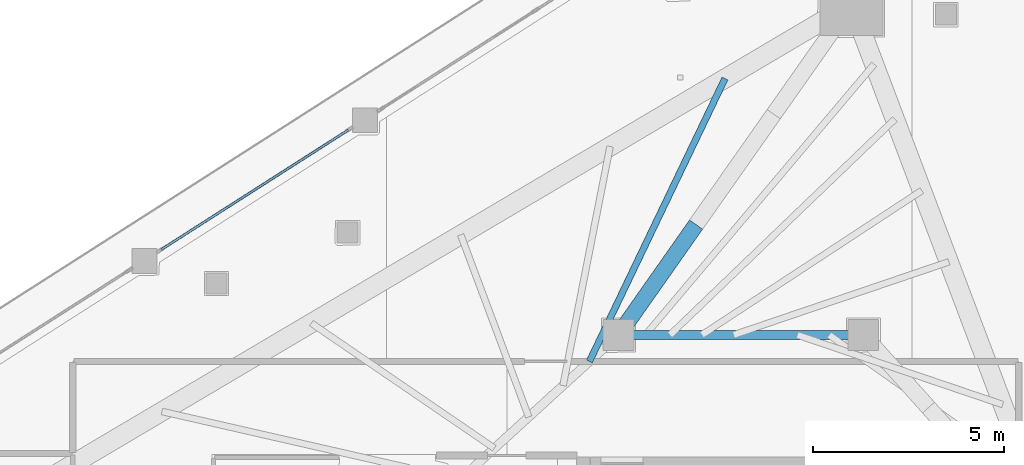
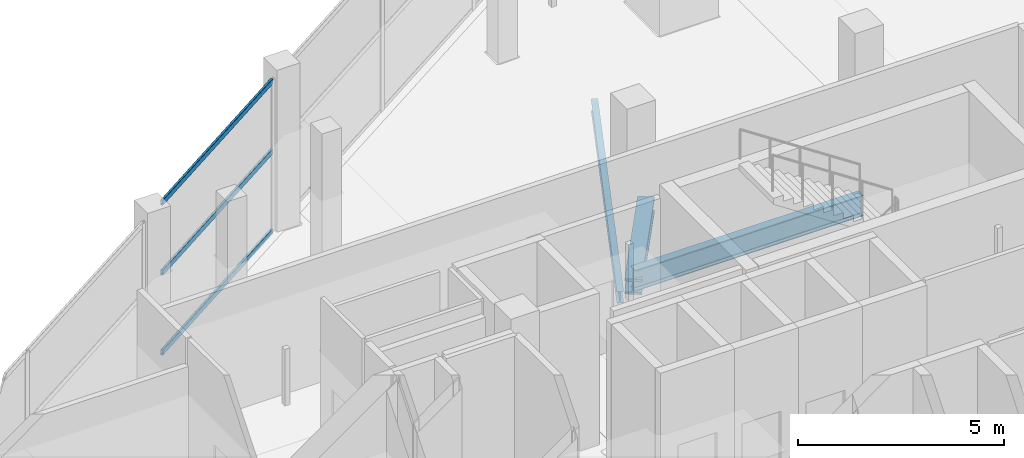
# One storey, part 17 of 36: 4 members, 2 beams, 1 element without a shape of its own.
"""IFC4 building model written with IfcOpenShell, lengths in metres."""

from ifc_helpers import new_model, si_unit, direction, frame, origin, origin_2d, place, context, subcontext, project, spatial, hollow_rectangle, i_section, extrude, material, layer, layer_set, material_profile, profile_set, type_object, element, aggregate, save


model = new_model("IFC4")

# Units and contexts
model_context = context("Model", 3, precision=1e-05, world=origin(), true_north=direction((0.0, 1.0)))
body_context = subcontext(model_context, "Body", "Model", "MODEL_VIEW")
ifc_project = project(units=[si_unit("LENGTHUNIT", "METRE"), si_unit("AREAUNIT", "SQUARE_METRE"), si_unit("VOLUMEUNIT", "CUBIC_METRE"), si_unit("PLANEANGLEUNIT", "RADIAN"), si_unit("MASSUNIT", "GRAM", prefix="KILO")], contexts=[model_context])

# Site, building, storey
site_placement = place(None, origin())
site = spatial("IfcSite", under=ifc_project, at=site_placement, CompositionType="ELEMENT")
building_placement = place(site_placement, origin())
building = spatial("IfcBuilding", under=site, at=building_placement, Name="Qorvath Tower", CompositionType="ELEMENT")
storey_placement = place(building_placement, frame((0.0, 0.0, 255.0)))
storey = spatial("IfcBuildingStorey", under=building, at=storey_placement, Name="L59", CompositionType="ELEMENT", Elevation=255.0)

# Beams
ifc_material_1 = material(Name="Steel ASTM A992 Grade 50", Category="steel")
ifc_material_profile_1 = material_profile(ifc_material_1, i_section(OverallWidth=0.22998046875, OverallDepth=0.616943359375, WebThickness=0.01318359375, FlangeThickness=0.022216796875, FilletRadius=0.014892578125, at=origin_2d()), Name="W24x94")
ifc_profile_set_1 = profile_set([ifc_material_profile_1], Name="Steel ASTM A992 Grade 50")
beam_type_1 = type_object("IfcBeamType", Name="BM-FG6", PredefinedType="BEAM", material=ifc_profile_set_1)
beam_1_placement = place(storey_placement, frame((-23.60009765625, 11.449951171875, -0.6083984375), z_axis=(1.0, 0.0, 0.0), x_axis=(0.0, 1.0, 0.0)))
element("IfcBeam", 1, at=beam_1_placement, inside=storey, type_object=beam_type_1, Name="Core Ring Girder CC1-CC2 L59", PredefinedType="BEAM", context=body_context, shape_type="SweptSolid", body=[
    extrude(i_section(OverallWidth=0.22998046875, OverallDepth=0.616943359375, WebThickness=0.01318359375, FlangeThickness=0.022216796875, FilletRadius=0.014892578125, at=origin_2d()), origin(), (0.0, 0.0, 1.0), 6.400146484375),
])
ifc_material_2 = material(Name="Steel ASTM A992 Grade 50", Category="steel")
ifc_material_profile_2 = material_profile(ifc_material_2, i_section(OverallWidth=0.1708984375, OverallDepth=0.35107421875, WebThickness=0.0068359375, FlangeThickness=0.009765625, FilletRadius=0.010009765625, at=origin_2d()), Name="W14x30")
ifc_profile_set_2 = profile_set([ifc_material_profile_2], Name="Steel ASTM A992 Grade 50")
beam_type_2 = type_object("IfcBeamType", Name="BM-FJ4", PredefinedType="JOIST", material=ifc_profile_set_2)
beam_2_placement = place(storey_placement, frame((-24.35888671875, 10.757080078125, -0.4755859375), z_axis=(0.432029839602, 0.901859311475, 0.0), x_axis=(-0.901859311475, 0.432029839602, 0.0)))
element("IfcBeam", 2, at=beam_2_placement, inside=storey, type_object=beam_type_2, Name="Composite Floor Joist NW7 L59", PredefinedType="JOIST", context=body_context, shape_type="SweptSolid", body=[
    extrude(i_section(OverallWidth=0.1708984375, OverallDepth=0.35107421875, WebThickness=0.0068359375, FlangeThickness=0.009765625, FilletRadius=0.010009765625, at=origin_2d()), origin(), (0.0, 0.0, 1.0), 8.1962890625),
])

# Curtain wall, members
ifc_material_3 = material(Name="Anodised aluminium and triple low-E glass", Category="aluminium")
ifc_layer = layer(ifc_material_3, 0.179931640625)
ifc_layer_set = layer_set([ifc_layer], Name="CW-SYS-5")
curtain_wall_type = type_object("IfcCurtainWallType", Name="CW-SYS-5", PredefinedType="NOTDEFINED", material=ifc_layer_set)
curtain_wall_placement = place(storey_placement, origin())
curtain_wall = element("IfcCurtainWall", 3, at=curtain_wall_placement, inside=storey, type_object=curtain_wall_type, Name="Curtain Wall CW-5 CW-T-L59-16.2", PredefinedType="NOTDEFINED")
ifc_material_4 = material(Name="Anodised aluminium 6063-T6", Category="aluminium")
ifc_material_profile_3 = material_profile(ifc_material_4, hollow_rectangle(XDim=0.06494140625, YDim=0.159912109375, WallThickness=0.00341796875, InnerFilletRadius=0.00341796875, OuterFilletRadius=0.007080078125, at=origin_2d()), Name="CWT 160x65")
ifc_profile_set_3 = profile_set([ifc_material_profile_3], Name="Anodised aluminium 6063-T6")
member_type_1 = type_object("IfcMemberType", Name="CWT-160", PredefinedType="USERDEFINED", material=ifc_profile_set_3)
member_1_placement = place(storey_placement, frame((-30.658203125, 16.805419921875, 0.032470703125), z_axis=(-0.842589131172, -0.538556919954, 0.0), x_axis=(0.538556919954, -0.842589131172, 0.0)))
member_1 = element("IfcMember", 4, at=member_1_placement, type_object=member_type_1, Name="CW-5 transom 1.1", ObjectType="TRANSOM", PredefinedType="USERDEFINED", context=body_context, shape_type="SweptSolid", body=[
    extrude(hollow_rectangle(XDim=0.06494140625, YDim=0.159912109375, WallThickness=0.00341796875, InnerFilletRadius=0.00341796875, OuterFilletRadius=0.007080078125, at=origin_2d()), origin(), (0.0, 0.0, 1.0), 5.802490234375),
])
member_2_placement = place(storey_placement, frame((-30.658203125, 16.805419921875, 2.39990234375), z_axis=(-0.842589131172, -0.538556919954, 0.0), x_axis=(0.538556919954, -0.842589131172, 0.0)))
member_2 = element("IfcMember", 5, at=member_2_placement, type_object=member_type_1, Name="CW-5 transom 1.2", ObjectType="TRANSOM", PredefinedType="USERDEFINED", context=body_context, shape_type="SweptSolid", body=[
    extrude(hollow_rectangle(XDim=0.06494140625, YDim=0.159912109375, WallThickness=0.00341796875, InnerFilletRadius=0.00341796875, OuterFilletRadius=0.007080078125, at=origin_2d()), origin(), (0.0, 0.0, 1.0), 5.802490234375),
])
member_3_placement = place(storey_placement, frame((-30.658203125, 16.805419921875, 4.4775390625), z_axis=(-0.842589131172, -0.538556919954, 0.0), x_axis=(0.538556919954, -0.842589131172, 0.0)))
member_3 = element("IfcMember", 6, at=member_3_placement, type_object=member_type_1, Name="CW-5 transom 1.3", ObjectType="TRANSOM", PredefinedType="USERDEFINED", context=body_context, shape_type="SweptSolid", body=[
    extrude(hollow_rectangle(XDim=0.06494140625, YDim=0.159912109375, WallThickness=0.00341796875, InnerFilletRadius=0.00341796875, OuterFilletRadius=0.007080078125, at=origin_2d()), origin(), (0.0, 0.0, 1.0), 5.802490234375),
])
aggregate(curtain_wall, [member_1, member_2, member_3])

# Member
ifc_material_5 = material(Name="Steel ASTM A913 Grade 65", Category="steel")
ifc_material_profile_4 = material_profile(ifc_material_5, i_section(OverallWidth=0.4189453125, OverallDepth=0.455078125, WebThickness=0.0419921875, FlangeThickness=0.067626953125, FilletRadius=0.02490234375, at=origin_2d()), Name="W14x370")
ifc_profile_set_4 = profile_set([ifc_material_profile_4], Name="Steel ASTM A913 Grade 65")
member_type_2 = type_object("IfcMemberType", Name="MEM-OT2", PredefinedType="CHORD", material=ifc_profile_set_4)
member_4_placement = place(storey_placement, frame((-23.60009765625, 11.449951171875, -0.85009765625), z_axis=(0.575268694935, 0.817964503281, 0.0), x_axis=(-0.817964503281, 0.575268694935, 0.0)))
element("IfcMember", 7, at=member_4_placement, inside=storey, type_object=member_type_2, Name="Outrigger and Belt Truss Top Chord OB3-1.1", PredefinedType="CHORD", context=body_context, shape_type="SweptSolid", body=[
    extrude(i_section(OverallWidth=0.4189453125, OverallDepth=0.455078125, WebThickness=0.0419921875, FlangeThickness=0.067626953125, FilletRadius=0.02490234375, at=origin_2d()), origin(), (0.0, 0.0, 1.0), 3.52587890625),
])

save(model, "model.ifc")
